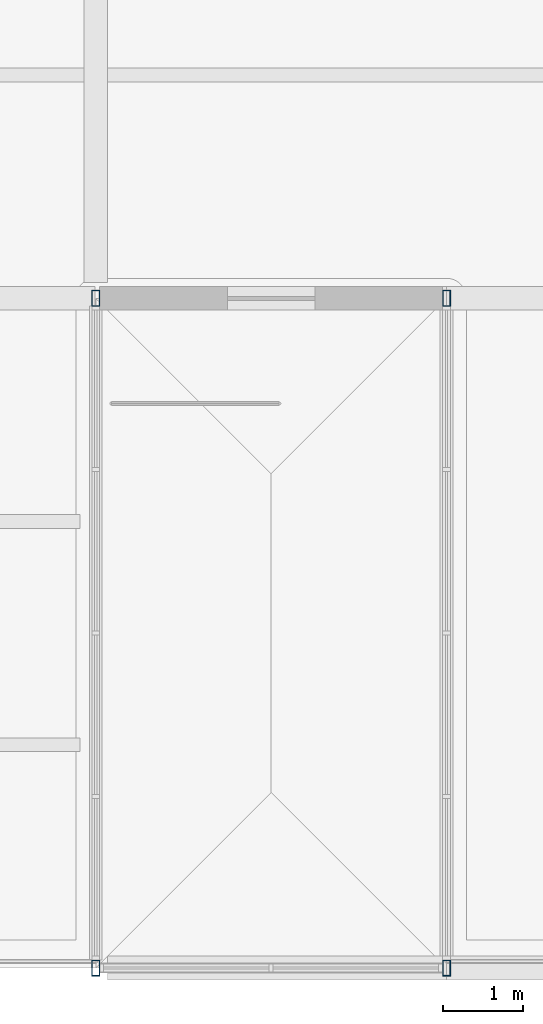
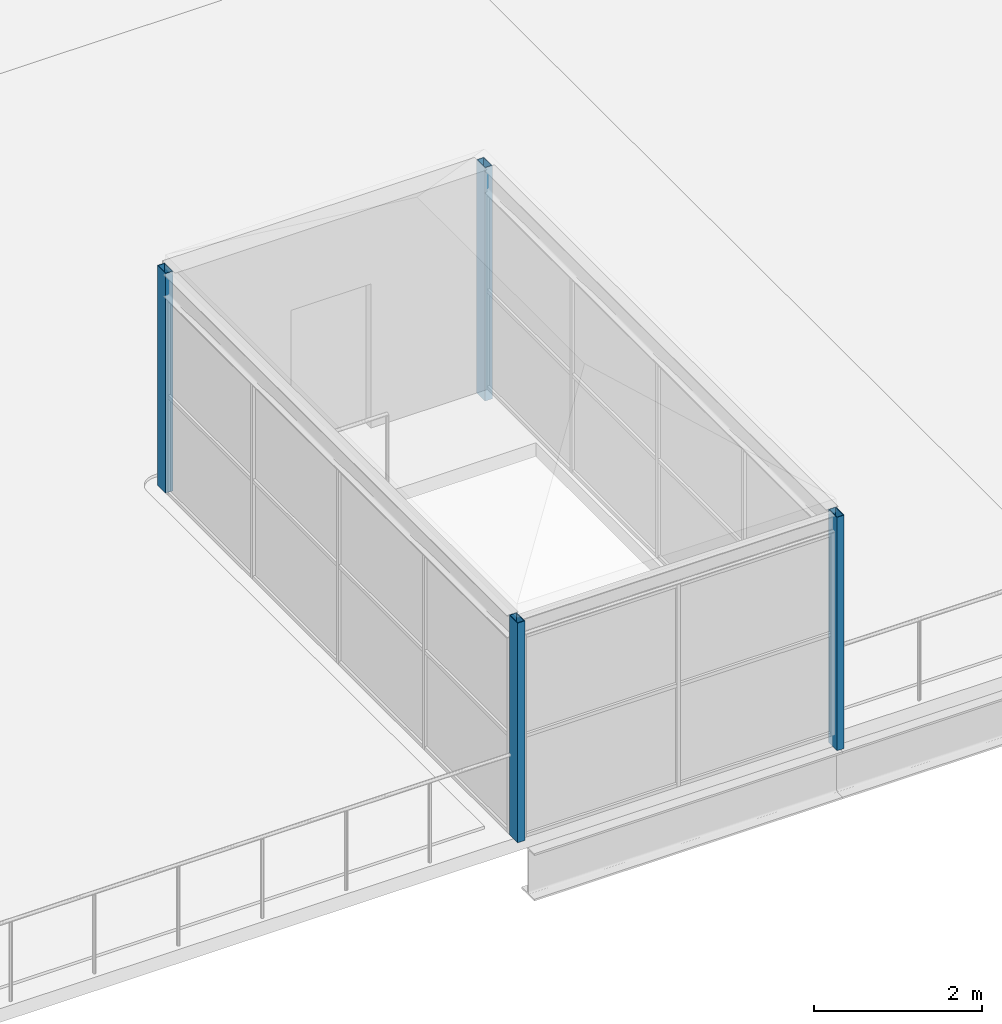
# One storey, part 6 of 58: 4 columns.
"""IFC4 building model written with IfcOpenShell, lengths in metres."""

from ifc_helpers import new_model, si_unit, direction, frame, origin, origin_2d, place, context, subcontext, project, spatial, hollow_rectangle, extrude, material, material_profile, profile_set, type_object, element, save


model = new_model("IFC4")

# Units and contexts
model_context = context("Model", 3, precision=1e-05, world=origin(), true_north=direction((0.0, 1.0)))
body_context = subcontext(model_context, "Body", "Model", "MODEL_VIEW")
ifc_project = project(units=[si_unit("LENGTHUNIT", "METRE"), si_unit("AREAUNIT", "SQUARE_METRE"), si_unit("VOLUMEUNIT", "CUBIC_METRE"), si_unit("PLANEANGLEUNIT", "RADIAN"), si_unit("MASSUNIT", "GRAM", prefix="KILO")], contexts=[model_context])

# Site, building, storey
site_placement = place(None, origin())
site = spatial("IfcSite", under=ifc_project, at=site_placement, CompositionType="ELEMENT")
building_placement = place(site_placement, origin())
building = spatial("IfcBuilding", under=site, at=building_placement, Name="Galleria Vessillo Department Store", CompositionType="ELEMENT")
storey_placement = place(building_placement, frame((0.0, 0.0, 31.199951171875)))
storey = spatial("IfcBuildingStorey", under=building, at=storey_placement, Name="L06", CompositionType="ELEMENT", Elevation=31.199951171875)

# Columns
ifc_material = material(Name="Steel S355 J2", Category="steel")
ifc_material_profile = material_profile(ifc_material, hollow_rectangle(XDim=0.10009765625, YDim=0.199951171875, WallThickness=0.008056640625, at=origin_2d()), Name="RHS 200x100x8")
ifc_profile_set = profile_set([ifc_material_profile], Name="Steel S355 J2")
column_type = type_object("IfcColumnType", Name="Steel post RHS 200x100x8", PredefinedType="COLUMN", material=ifc_profile_set)
column_1_placement = place(storey_placement, frame((75.60009765625, 0.0, 0.0), z_axis=(0.0, 0.0, 1.0), x_axis=(1.0, 0.0, 0.0)))
element("IfcColumn", 1, at=column_1_placement, inside=storey, type_object=column_type, Name="S-PP-ST5-1", PredefinedType="COLUMN", context=body_context, shape_type="SweptSolid", body=[
    extrude(hollow_rectangle(XDim=0.10009765625, YDim=0.199951171875, WallThickness=0.008056640625, at=origin_2d()), origin(), (0.0, 0.0, 1.0), 3.2001953125),
])
column_2_placement = place(storey_placement, frame((80.0, 0.0, -0.199951171875), z_axis=(0.0, 0.0, 1.0), x_axis=(1.0, 0.0, 0.0)))
element("IfcColumn", 2, at=column_2_placement, inside=storey, type_object=column_type, Name="S-PP-ST5-2", PredefinedType="COLUMN", context=body_context, shape_type="SweptSolid", body=[
    extrude(hollow_rectangle(XDim=0.10009765625, YDim=0.199951171875, WallThickness=0.008056640625, at=origin_2d()), origin(), (0.0, 0.0, 1.0), 3.400146484375),
])
column_3_placement = place(storey_placement, frame((75.60009765625, 8.39990234375, 0.0), z_axis=(0.0, 0.0, 1.0), x_axis=(1.0, 0.0, 0.0)))
element("IfcColumn", 3, at=column_3_placement, inside=storey, type_object=column_type, Name="S-PP-ST5-3", PredefinedType="COLUMN", context=body_context, shape_type="SweptSolid", body=[
    extrude(hollow_rectangle(XDim=0.10009765625, YDim=0.199951171875, WallThickness=0.008056640625, at=origin_2d()), origin(), (0.0, 0.0, 1.0), 3.2001953125),
])
column_4_placement = place(storey_placement, frame((80.0, 8.39990234375, -0.199951171875), z_axis=(0.0, 0.0, 1.0), x_axis=(1.0, 0.0, 0.0)))
element("IfcColumn", 4, at=column_4_placement, inside=storey, type_object=column_type, Name="S-PP-ST5-4", PredefinedType="COLUMN", context=body_context, shape_type="SweptSolid", body=[
    extrude(hollow_rectangle(XDim=0.10009765625, YDim=0.199951171875, WallThickness=0.008056640625, at=origin_2d()), origin(), (0.0, 0.0, 1.0), 3.400146484375),
])

save(model, "model.ifc")
